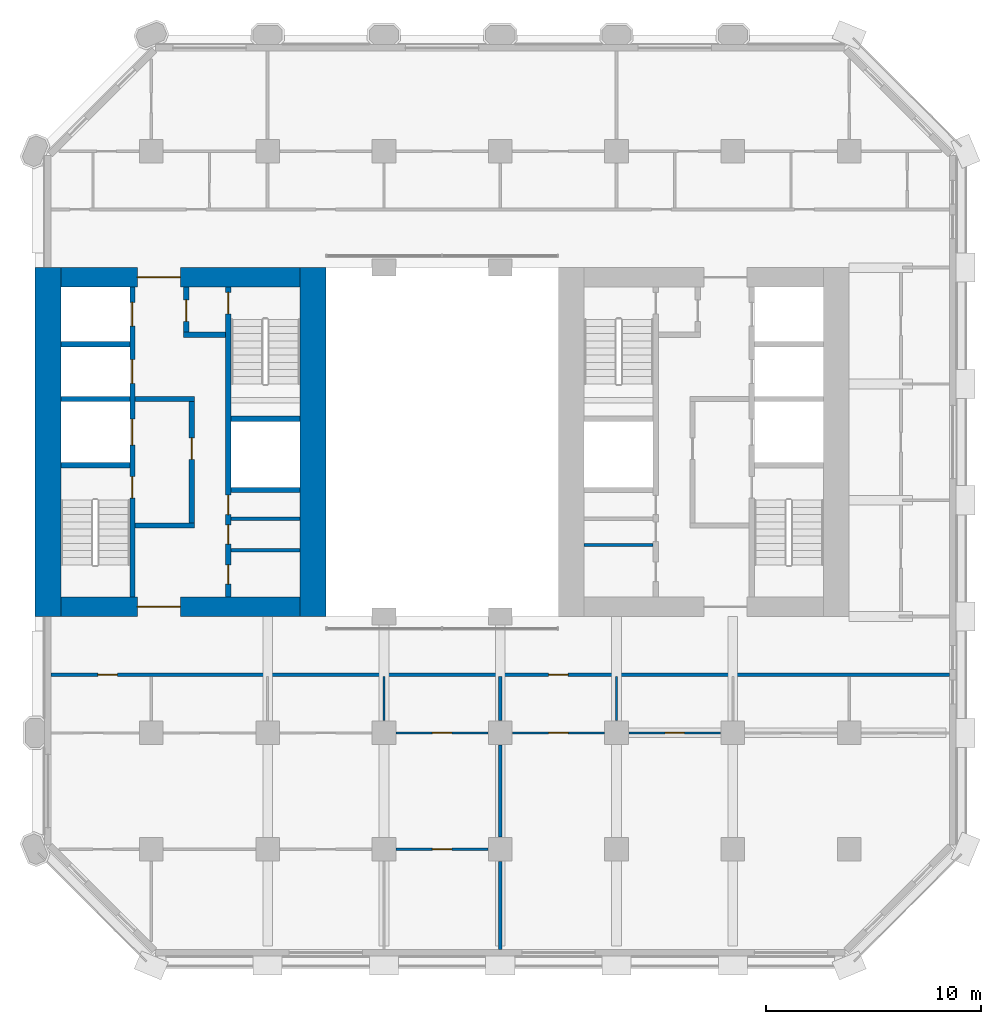
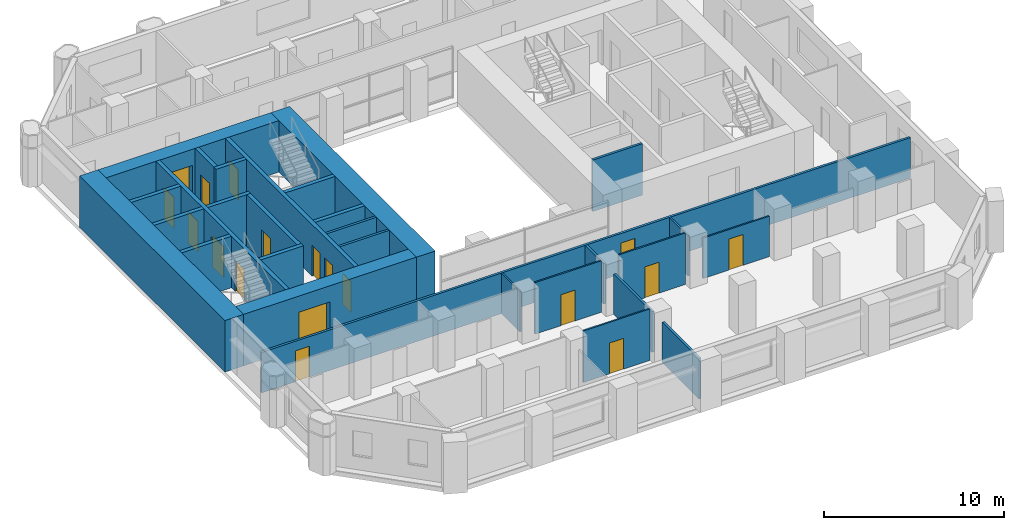
# One storey, part 8 of 13: 29 walls, 18 doors, 18 openings.
"""IFC4 building model written with IfcOpenShell, lengths in metres."""

from ifc_helpers import new_model, si_unit, direction, frame, frame_2d, origin, place, context, subcontext, project, spatial, rectangle, extrude, material, layer, layer_set, type_object, element, fill, save


model = new_model("IFC4")

# Units and contexts
model_context = context("Model", 3, precision=1e-05, world=origin(), true_north=direction((0.0, 1.0)))
body_context = subcontext(model_context, "Body", "Model", "MODEL_VIEW")
ifc_project = project(units=[si_unit("LENGTHUNIT", "METRE"), si_unit("AREAUNIT", "SQUARE_METRE"), si_unit("VOLUMEUNIT", "CUBIC_METRE"), si_unit("PLANEANGLEUNIT", "RADIAN"), si_unit("MASSUNIT", "GRAM", prefix="KILO")], contexts=[model_context])

# Site, building, storey
site_placement = place(None, origin())
site = spatial("IfcSite", under=ifc_project, at=site_placement, CompositionType="ELEMENT")
building_placement = place(site_placement, origin())
building = spatial("IfcBuilding", under=site, at=building_placement, Name="Tabaq Tower and Sports Hall", CompositionType="ELEMENT")
storey_placement = place(building_placement, frame((0.0, 0.0, 45.0)))
storey = spatial("IfcBuildingStorey", under=building, at=storey_placement, Name="L09", CompositionType="ELEMENT", Elevation=45.0)

# Walls
ifc_material_1 = material(Name="Blockwork", Category="masonry")
ifc_layer_1 = layer(ifc_material_1, 0.14990234375)
ifc_layer_set_1 = layer_set([ifc_layer_1], Name="Core room partition 150 Blockwork")
wall_type_1 = type_object("IfcWallType", Name="Core room partition 150 Blockwork", PredefinedType="PARTITIONING", material=ifc_layer_set_1)
for number, where, z_axis, x_axis, name in (
    (1, (14.5, 19.282958984375, 0.0), (0.0, 0.0, 1.0), (1.0, 0.0, 0.0), "Core room partition W L09"),
    (2, (14.5, 20.738037109375, 0.0), (0.0, 0.0, 1.0), (1.0, 0.0, 0.0), "Core room partition W L09"),
):
    element("IfcWall", number, at=place(storey_placement, frame(where, z_axis=z_axis, x_axis=x_axis)), inside=storey, type_object=wall_type_1, Name=name, PredefinedType="PARTITIONING", context=body_context, shape_type="SweptSolid", body=[
        extrude(rectangle(XDim=3.199951171875, YDim=0.14990234375, at=frame_2d((1.60009765625, 0.0))), origin(), (0.0, 0.0, 1.0), 3.5),
    ])
wall_1_placement = place(storey_placement, frame((30.89990234375, 19.52490234375, 0.0), z_axis=(0.0, 0.0, 1.0), x_axis=(1.0, 0.0, 0.0)))
element("IfcWall", 3, at=wall_1_placement, inside=storey, type_object=wall_type_1, Name="Core room partition E L09", PredefinedType="PARTITIONING", context=body_context, shape_type="SweptSolid", body=[
    extrude(rectangle(XDim=3.2001953125, YDim=0.14990234375, at=frame_2d((1.60009765625, 0.0))), origin(), (0.0, 0.0, 1.0), 3.5),
])
ifc_material_2 = material(Name="Concrete C60/75", Category="concrete")
ifc_layer_2 = layer(ifc_material_2, 1.199951171875)
ifc_layer_set_2 = layer_set([ifc_layer_2], Name="Core wall 1200 Concrete C60/75")
wall_type_2 = type_object("IfcWallType", Name="Core wall 1200 Concrete C60/75", PredefinedType="SOLIDWALL", material=ifc_layer_set_2)
for number, where, z_axis, x_axis, name in (
    (4, (6.0, 16.199951171875, 0.0), (0.0, 0.0, 1.0), (0.0, 1.0, 0.0), "Core wall W L09"),
    (5, (18.300048828125, 32.39990234375, 0.0), (0.0, 0.0, 1.0), (0.0, -1.0, 0.0), "Core wall W L09"),
):
    element("IfcWall", number, at=place(storey_placement, frame(where, z_axis=z_axis, x_axis=x_axis)), inside=storey, type_object=wall_type_2, Name=name, PredefinedType="SOLIDWALL", context=body_context, shape_type="SweptSolid", body=[
        extrude(rectangle(XDim=16.199951171875, YDim=1.199951171875, at=frame_2d((8.10009765625, 0.0))), origin(), (0.0, 0.0, 1.0), 3.5),
    ])

# Wall, opening, door
ifc_material_3 = material(Name="Concrete C60/75", Category="concrete")
ifc_layer_3 = layer(ifc_material_3, 0.89990234375)
ifc_layer_set_3 = layer_set([ifc_layer_3], Name="Core wall 900 Concrete C60/75")
wall_type_3 = type_object("IfcWallType", Name="Core wall 900 Concrete C60/75", PredefinedType="SOLIDWALL", material=ifc_layer_set_3)
wall_2_placement = place(storey_placement, frame((17.699951171875, 16.64990234375, 0.0), z_axis=(0.0, 0.0, 1.0), x_axis=(-1.0, 0.0, 0.0)))
wall_2 = element("IfcWall", 6, at=wall_2_placement, inside=storey, type_object=wall_type_3, Name="Core wall W L09", PredefinedType="SOLIDWALL", context=body_context, shape_type="SweptSolid", body=[
    extrude(rectangle(XDim=11.099853515625, YDim=0.89990234375, at=frame_2d((5.5498046875, 0.0))), origin(), (0.0, 0.0, 1.0), 3.5),
])
opening_1_placement = place(wall_2_placement, frame((5.550048828125, 0.0, 0.0)))
opening_1 = element("IfcOpeningElement", 7, at=opening_1_placement, cuts=wall_2, Name="Opening PD-WL09-01", PredefinedType="OPENING", context=body_context, shape_type="SweptSolid", body=[
    extrude(rectangle(XDim=2.0, YDim=2.39990234375, at=frame_2d((1.0, 1.199951171875))), frame((0.0, 0.449951171875, 0.0), z_axis=(0.0, -1.0, 0.0), x_axis=(1.0, 0.0, 0.0)), (0.0, 0.0, 1.0), 0.89990234375),
])
ifc_material_4 = material(Name="Steel fire door", Category="steel")
door_type_1 = type_object("IfcDoorType", Name="Core entrance door 2000", OperationType="DOUBLE_DOOR_SINGLE_SWING", PredefinedType="DOOR", material=ifc_material_4)
door_1_placement = place(opening_1_placement, origin())
door_1 = element("IfcDoor", 8, at=door_1_placement, inside=storey, type_object=door_type_1, Name="Core entrance south W L09", OperationType="DOUBLE_DOOR_SINGLE_SWING", OverallHeight=2.39990234375, OverallWidth=2.0, PredefinedType="DOOR", context=body_context, shape_type="SweptSolid", body=[
    extrude(rectangle(XDim=2.0, YDim=2.39990234375, at=frame_2d((1.0, 1.199951171875))), frame((0.0, 0.02490234375, 0.0), z_axis=(0.0, -1.0, 0.0), x_axis=(1.0, 0.0, 0.0)), (0.0, 0.0, 1.0), 0.050048828125),
])
fill(opening_1, door_1)

wall_3_placement = place(storey_placement, frame((6.60009765625, 31.949951171875, 0.0), z_axis=(0.0, 0.0, 1.0), x_axis=(1.0, 0.0, 0.0)))
wall_3 = element("IfcWall", 9, at=wall_3_placement, inside=storey, type_object=wall_type_3, Name="Core wall W L09", PredefinedType="SOLIDWALL", context=body_context, shape_type="SweptSolid", body=[
    extrude(rectangle(XDim=11.099853515625, YDim=0.89990234375, at=frame_2d((5.5498046875, 0.0))), origin(), (0.0, 0.0, 1.0), 3.5),
])
opening_2_placement = place(wall_3_placement, frame((3.550048828125, 0.0, 0.0)))
opening_2 = element("IfcOpeningElement", 10, at=opening_2_placement, cuts=wall_3, Name="Opening PD-WL09-02", PredefinedType="OPENING", context=body_context, shape_type="SweptSolid", body=[
    extrude(rectangle(XDim=2.0, YDim=2.39990234375, at=frame_2d((1.0, 1.199951171875))), frame((0.0, 0.449951171875, 0.0), z_axis=(0.0, -1.0, 0.0), x_axis=(1.0, 0.0, 0.0)), (0.0, 0.0, 1.0), 0.89990234375),
])
door_2_placement = place(opening_2_placement, origin())
door_2 = element("IfcDoor", 11, at=door_2_placement, inside=storey, type_object=door_type_1, Name="Core entrance north W L09", OperationType="DOUBLE_DOOR_SINGLE_SWING", OverallHeight=2.39990234375, OverallWidth=2.0, PredefinedType="DOOR", context=body_context, shape_type="SweptSolid", body=[
    extrude(rectangle(XDim=2.0, YDim=2.39990234375, at=frame_2d((1.0, 1.199951171875))), frame((0.0, 0.02490234375, 0.0), z_axis=(0.0, -1.0, 0.0), x_axis=(1.0, 0.0, 0.0)), (0.0, 0.0, 1.0), 0.050048828125),
])
fill(opening_2, door_2)

# Wall
ifc_material_5 = material(Name="Gypsum board on steel studs", Category="steel")
ifc_layer_4 = layer(ifc_material_5, 0.10009765625)
ifc_layer_set_4 = layer_set([ifc_layer_4], Name="Partition 100 Gypsum board")
wall_type_4 = type_object("IfcWallType", Name="Partition 100 Gypsum board", PredefinedType="PARTITIONING", material=ifc_layer_set_4)
wall_4_placement = place(storey_placement, frame((21.60009765625, 11.3701171875, 0.0), z_axis=(0.0, 0.0, 1.0), x_axis=(0.0, 1.0, 0.0)))
element("IfcWall", 12, at=wall_4_placement, inside=storey, type_object=wall_type_4, Name="Partition wall L09", PredefinedType="PARTITIONING", context=body_context, shape_type="SweptSolid", body=[
    extrude(rectangle(XDim=2.054931640625, YDim=0.10009765625, at=frame_2d((1.02734375, 0.0))), origin(), (0.0, 0.0, 1.0), 2.75),
])

# Wall, opening, door
wall_5_placement = place(storey_placement, frame((22.169921875, 10.800048828125, 0.0), z_axis=(0.0, 0.0, 1.0), x_axis=(1.0, 0.0, 0.0)))
wall_5 = element("IfcWall", 13, at=wall_5_placement, inside=storey, type_object=wall_type_4, Name="Partition wall L09", PredefinedType="PARTITIONING", context=body_context, shape_type="SweptSolid", body=[
    extrude(rectangle(XDim=4.260009765625, YDim=0.10009765625, at=frame_2d((2.1298828125, 0.0))), origin(), (0.0, 0.0, 1.0), 3.5),
])
opening_3_placement = place(wall_5_placement, frame((1.679931640625, 0.0, 0.0)))
opening_3 = element("IfcOpeningElement", 14, at=opening_3_placement, cuts=wall_5, Name="Opening L09-015", PredefinedType="OPENING", context=body_context, shape_type="SweptSolid", body=[
    extrude(rectangle(XDim=0.89990234375, YDim=2.10009765625, at=frame_2d((0.449951171875, 1.050048828125))), frame((0.0, 0.050048828125, 0.0), z_axis=(0.0, -1.0, 0.0), x_axis=(1.0, 0.0, 0.0)), (0.0, 0.0, 1.0), 0.10009765625),
])
ifc_material_6 = material(Name="Timber leaf in steel frame", Category="steel")
door_type_2 = type_object("IfcDoorType", Name="Internal door 900 right hand", OperationType="SINGLE_SWING_RIGHT", PredefinedType="DOOR", material=ifc_material_6)
door_3_placement = place(opening_3_placement, origin())
door_3 = element("IfcDoor", 15, at=door_3_placement, inside=storey, type_object=door_type_2, Name="Internal door L09-015", OperationType="SINGLE_SWING_RIGHT", OverallHeight=2.10009765625, OverallWidth=0.89990234375, PredefinedType="DOOR", context=body_context, shape_type="SweptSolid", body=[
    extrude(rectangle(XDim=0.89990234375, YDim=2.10009765625, at=frame_2d((0.449951171875, 1.050048828125))), frame((0.0, 0.02490234375, 0.0), z_axis=(0.0, -1.0, 0.0), x_axis=(1.0, 0.0, 0.0)), (0.0, 0.0, 1.0), 0.050048828125),
])
fill(opening_3, door_3)

wall_6_placement = place(storey_placement, frame((22.169921875, 5.39990234375, 0.0), z_axis=(0.0, 0.0, 1.0), x_axis=(1.0, 0.0, 0.0)))
wall_6 = element("IfcWall", 16, at=wall_6_placement, inside=storey, type_object=wall_type_4, Name="Partition wall L09", PredefinedType="PARTITIONING", context=body_context, shape_type="SweptSolid", body=[
    extrude(rectangle(XDim=4.260009765625, YDim=0.10009765625, at=frame_2d((2.1298828125, 0.0))), origin(), (0.0, 0.0, 1.0), 3.5),
])
opening_4_placement = place(wall_6_placement, frame((1.679931640625, 0.0, 0.0)))
opening_4 = element("IfcOpeningElement", 17, at=opening_4_placement, cuts=wall_6, Name="Opening L09-018", PredefinedType="OPENING", context=body_context, shape_type="SweptSolid", body=[
    extrude(rectangle(XDim=0.89990234375, YDim=2.10009765625, at=frame_2d((0.449951171875, 1.050048828125))), frame((0.0, 0.050048828125, 0.0), z_axis=(0.0, -1.0, 0.0), x_axis=(1.0, 0.0, 0.0)), (0.0, 0.0, 1.0), 0.10009765625),
])
ifc_material_7 = material(Name="Timber leaf in steel frame", Category="steel")
door_type_3 = type_object("IfcDoorType", Name="Internal door 900 left hand", OperationType="SINGLE_SWING_LEFT", PredefinedType="DOOR", material=ifc_material_7)
door_4_placement = place(opening_4_placement, origin())
door_4 = element("IfcDoor", 18, at=door_4_placement, inside=storey, type_object=door_type_3, Name="Internal door L09-018", OperationType="SINGLE_SWING_LEFT", OverallHeight=2.10009765625, OverallWidth=0.89990234375, PredefinedType="DOOR", context=body_context, shape_type="SweptSolid", body=[
    extrude(rectangle(XDim=0.89990234375, YDim=2.10009765625, at=frame_2d((0.449951171875, 1.050048828125))), frame((0.0, 0.02490234375, 0.0), z_axis=(0.0, -1.0, 0.0), x_axis=(1.0, 0.0, 0.0)), (0.0, 0.0, 1.0), 0.050048828125),
])
fill(opening_4, door_4)

wall_7_placement = place(storey_placement, frame((27.570068359375, 10.800048828125, 0.0), z_axis=(0.0, 0.0, 1.0), x_axis=(1.0, 0.0, 0.0)))
wall_7 = element("IfcWall", 19, at=wall_7_placement, inside=storey, type_object=wall_type_4, Name="Partition wall L09", PredefinedType="PARTITIONING", context=body_context, shape_type="SweptSolid", body=[
    extrude(rectangle(XDim=4.260009765625, YDim=0.10009765625, at=frame_2d((2.1298828125, 0.0))), origin(), (0.0, 0.0, 1.0), 3.5),
])
opening_5_placement = place(wall_7_placement, frame((1.679931640625, 0.0, 0.0)))
opening_5 = element("IfcOpeningElement", 20, at=opening_5_placement, cuts=wall_7, Name="Opening L09-028", PredefinedType="OPENING", context=body_context, shape_type="SweptSolid", body=[
    extrude(rectangle(XDim=0.89990234375, YDim=2.10009765625, at=frame_2d((0.449951171875, 1.050048828125))), frame((0.0, 0.050048828125, 0.0), z_axis=(0.0, -1.0, 0.0), x_axis=(1.0, 0.0, 0.0)), (0.0, 0.0, 1.0), 0.10009765625),
])
door_5_placement = place(opening_5_placement, origin())
door_5 = element("IfcDoor", 21, at=door_5_placement, inside=storey, type_object=door_type_2, Name="Internal door L09-028", OperationType="SINGLE_SWING_RIGHT", OverallHeight=2.10009765625, OverallWidth=0.89990234375, PredefinedType="DOOR", context=body_context, shape_type="SweptSolid", body=[
    extrude(rectangle(XDim=0.89990234375, YDim=2.10009765625, at=frame_2d((0.449951171875, 1.050048828125))), frame((0.0, 0.02490234375, 0.0), z_axis=(0.0, -1.0, 0.0), x_axis=(1.0, 0.0, 0.0)), (0.0, 0.0, 1.0), 0.050048828125),
])
fill(opening_5, door_5)

# Wall
wall_8_placement = place(storey_placement, frame((32.39990234375, 11.3701171875, 0.0), z_axis=(0.0, 0.0, 1.0), x_axis=(0.0, 1.0, 0.0)))
element("IfcWall", 22, at=wall_8_placement, inside=storey, type_object=wall_type_4, Name="Partition wall L09", PredefinedType="PARTITIONING", context=body_context, shape_type="SweptSolid", body=[
    extrude(rectangle(XDim=2.054931640625, YDim=0.10009765625, at=frame_2d((1.02734375, 0.0))), origin(), (0.0, 0.0, 1.0), 2.75),
])

# Wall, opening, door
wall_9_placement = place(storey_placement, frame((32.969970703125, 10.800048828125, 0.0), z_axis=(0.0, 0.0, 1.0), x_axis=(1.0, 0.0, 0.0)))
wall_9 = element("IfcWall", 23, at=wall_9_placement, inside=storey, type_object=wall_type_4, Name="Partition wall L09", PredefinedType="PARTITIONING", context=body_context, shape_type="SweptSolid", body=[
    extrude(rectangle(XDim=4.260009765625, YDim=0.10009765625, at=frame_2d((2.1298828125, 0.0))), origin(), (0.0, 0.0, 1.0), 2.75),
])
opening_6_placement = place(wall_9_placement, frame((1.679931640625, 0.0, 0.0)))
opening_6 = element("IfcOpeningElement", 24, at=opening_6_placement, cuts=wall_9, Name="Opening L09-019", PredefinedType="OPENING", context=body_context, shape_type="SweptSolid", body=[
    extrude(rectangle(XDim=0.89990234375, YDim=2.10009765625, at=frame_2d((0.449951171875, 1.050048828125))), frame((0.0, 0.050048828125, 0.0), z_axis=(0.0, -1.0, 0.0), x_axis=(1.0, 0.0, 0.0)), (0.0, 0.0, 1.0), 0.10009765625),
])
door_6_placement = place(opening_6_placement, origin())
door_6 = element("IfcDoor", 25, at=door_6_placement, inside=storey, type_object=door_type_3, Name="Internal door L09-019", OperationType="SINGLE_SWING_LEFT", OverallHeight=2.10009765625, OverallWidth=0.89990234375, PredefinedType="DOOR", context=body_context, shape_type="SweptSolid", body=[
    extrude(rectangle(XDim=0.89990234375, YDim=2.10009765625, at=frame_2d((0.449951171875, 1.050048828125))), frame((0.0, 0.02490234375, 0.0), z_axis=(0.0, -1.0, 0.0), x_axis=(1.0, 0.0, 0.0)), (0.0, 0.0, 1.0), 0.050048828125),
])
fill(opening_6, door_6)

# Wall, openings, doors
ifc_material_8 = material(Name="Blockwork", Category="masonry")
ifc_layer_5 = layer(ifc_material_8, 0.14990234375)
ifc_layer_set_5 = layer_set([ifc_layer_5], Name="Separating wall 150 Blockwork")
wall_type_5 = type_object("IfcWallType", Name="Separating wall 150 Blockwork", PredefinedType="PARTITIONING", material=ifc_layer_set_5)
wall_10_placement = place(storey_placement, frame((6.15087890625, 13.5, 0.0), z_axis=(0.0, 0.0, 1.0), x_axis=(1.0, 0.0, 0.0)))
wall_10 = element("IfcWall", 26, at=wall_10_placement, inside=storey, type_object=wall_type_5, Name="Separating wall L09", PredefinedType="PARTITIONING", context=body_context, shape_type="SweptSolid", body=[
    extrude(rectangle(XDim=41.6982421875, YDim=0.14990234375, at=frame_2d((20.84912109375, 0.0))), origin(), (0.0, 0.0, 1.0), 2.75),
])
opening_7_placement = place(wall_10_placement, frame((2.174072265625, 0.0, 0.0)))
opening_7 = element("IfcOpeningElement", 27, at=opening_7_placement, cuts=wall_10, Name="Opening L09-023", PredefinedType="OPENING", context=body_context, shape_type="SweptSolid", body=[
    extrude(rectangle(XDim=0.89990234375, YDim=2.10009765625, at=frame_2d((0.449951171875, 1.050048828125))), frame((0.0, 0.074951171875, 0.0), z_axis=(0.0, -1.0, 0.0), x_axis=(1.0, 0.0, 0.0)), (0.0, 0.0, 1.0), 0.14990234375),
])
opening_8_placement = place(wall_10_placement, frame((23.09912109375, 0.0, 0.0)))
opening_8 = element("IfcOpeningElement", 28, at=opening_8_placement, cuts=wall_10, Name="Opening L09-024", PredefinedType="OPENING", context=body_context, shape_type="SweptSolid", body=[
    extrude(rectangle(XDim=0.89990234375, YDim=2.10009765625, at=frame_2d((0.449951171875, 1.050048828125))), frame((0.0, 0.074951171875, 0.0), z_axis=(0.0, -1.0, 0.0), x_axis=(1.0, 0.0, 0.0)), (0.0, 0.0, 1.0), 0.14990234375),
])
ifc_material_9 = material(Name="Steel fire door", Category="steel")
door_type_4 = type_object("IfcDoorType", Name="Entrance door 900 left hand", OperationType="SINGLE_SWING_LEFT", PredefinedType="DOOR", material=ifc_material_9)
door_7_placement = place(opening_7_placement, origin())
door_7 = element("IfcDoor", 29, at=door_7_placement, inside=storey, type_object=door_type_4, Name="Entrance door L09-023", OperationType="SINGLE_SWING_LEFT", OverallHeight=2.10009765625, OverallWidth=0.89990234375, PredefinedType="DOOR", context=body_context, shape_type="SweptSolid", body=[
    extrude(rectangle(XDim=0.89990234375, YDim=2.10009765625, at=frame_2d((0.449951171875, 1.050048828125))), frame((0.0, 0.02490234375, 0.0), z_axis=(0.0, -1.0, 0.0), x_axis=(1.0, 0.0, 0.0)), (0.0, 0.0, 1.0), 0.050048828125),
])
fill(opening_7, door_7)
door_8_placement = place(opening_8_placement, origin())
door_8 = element("IfcDoor", 30, at=door_8_placement, inside=storey, type_object=door_type_4, Name="Entrance door L09-024", OperationType="SINGLE_SWING_LEFT", OverallHeight=2.10009765625, OverallWidth=0.89990234375, PredefinedType="DOOR", context=body_context, shape_type="SweptSolid", body=[
    extrude(rectangle(XDim=0.89990234375, YDim=2.10009765625, at=frame_2d((0.449951171875, 1.050048828125))), frame((0.0, 0.02490234375, 0.0), z_axis=(0.0, -1.0, 0.0), x_axis=(1.0, 0.0, 0.0)), (0.0, 0.0, 1.0), 0.050048828125),
])
fill(opening_8, door_8)

# Walls
wall_11_placement = place(storey_placement, frame((27.0, 11.3701171875, 0.0), z_axis=(0.0, 0.0, 1.0), x_axis=(0.0, 1.0, 0.0)))
element("IfcWall", 31, at=wall_11_placement, inside=storey, type_object=wall_type_5, Name="Separating wall L09", PredefinedType="PARTITIONING", context=body_context, shape_type="SweptSolid", body=[
    extrude(rectangle(XDim=2.054931640625, YDim=0.14990234375, at=frame_2d((1.02734375, 0.0))), origin(), (0.0, 0.0, 1.0), 2.75),
])
wall_12_placement = place(storey_placement, frame((27.0, 5.969970703125, 0.0), z_axis=(0.0, 0.0, 1.0), x_axis=(0.0, 1.0, 0.0)))
element("IfcWall", 32, at=wall_12_placement, inside=storey, type_object=wall_type_5, Name="Separating wall L09", PredefinedType="PARTITIONING", context=body_context, shape_type="SweptSolid", body=[
    extrude(rectangle(XDim=4.260009765625, YDim=0.14990234375, at=frame_2d((2.1298828125, 0.0))), origin(), (0.0, 0.0, 1.0), 2.75),
])
wall_13_placement = place(storey_placement, frame((27.0, 0.7509765625, 0.0), z_axis=(0.0, 0.0, 1.0), x_axis=(0.0, 1.0, 0.0)))
element("IfcWall", 33, at=wall_13_placement, inside=storey, type_object=wall_type_5, Name="Separating wall L09", PredefinedType="PARTITIONING", context=body_context, shape_type="SweptSolid", body=[
    extrude(rectangle(XDim=4.0791015625, YDim=0.14990234375, at=frame_2d((2.03955078125, 0.0))), origin(), (0.0, 0.0, 1.0), 2.75),
])

# Wall, openings, doors
ifc_material_10 = material(Name="Concrete C40/50", Category="concrete")
ifc_layer_6 = layer(ifc_material_10, 0.25)
ifc_layer_set_6 = layer_set([ifc_layer_6], Name="Shaft and stair wall 250 Concrete C40/50")
wall_type_6 = type_object("IfcWallType", Name="Shaft and stair wall 250 Concrete C40/50", PredefinedType="SOLIDWALL", material=ifc_layer_set_6)
wall_14_placement = place(storey_placement, frame((9.925048828125, 17.10009765625, 0.0), z_axis=(0.0, 0.0, 1.0), x_axis=(0.0, 1.0, 0.0)))
wall_14 = element("IfcWall", 34, at=wall_14_placement, inside=storey, type_object=wall_type_6, Name="Shaft wall W L09", PredefinedType="SOLIDWALL", context=body_context, shape_type="SweptSolid", body=[
    extrude(rectangle(XDim=14.39990234375, YDim=0.25, at=frame_2d((7.199951171875, 0.0))), origin(), (0.0, 0.0, 1.0), 3.5),
])
opening_9_placement = place(wall_14_placement, frame((4.60009765625, 0.0, 0.0)))
opening_9 = element("IfcOpeningElement", 35, at=opening_9_placement, cuts=wall_14, Name="Opening SD-WL09-03", PredefinedType="OPENING", context=body_context, shape_type="SweptSolid", body=[
    extrude(rectangle(XDim=1.0, YDim=2.10009765625, at=frame_2d((0.5, 1.050048828125))), frame((0.0, 0.125, 0.0), z_axis=(0.0, -1.0, 0.0), x_axis=(1.0, 0.0, 0.0)), (0.0, 0.0, 1.0), 0.25),
])
opening_10_placement = place(wall_14_placement, frame((7.0625, 0.0, 0.0)))
opening_10 = element("IfcOpeningElement", 36, at=opening_10_placement, cuts=wall_14, Name="Opening LD-FF1-L09", PredefinedType="OPENING", context=body_context, shape_type="SweptSolid", body=[
    extrude(rectangle(XDim=1.199951171875, YDim=2.10009765625, at=frame_2d((0.60009765625, 1.050048828125))), frame((0.0, 0.125, 0.0), z_axis=(0.0, -1.0, 0.0), x_axis=(1.0, 0.0, 0.0)), (0.0, 0.0, 1.0), 0.25),
])
opening_11_placement = place(wall_14_placement, frame((9.925048828125, 0.0, 0.0)))
opening_11 = element("IfcOpeningElement", 37, at=opening_11_placement, cuts=wall_14, Name="Opening LD-LR1-L09", PredefinedType="OPENING", context=body_context, shape_type="SweptSolid", body=[
    extrude(rectangle(XDim=1.10009765625, YDim=2.10009765625, at=frame_2d((0.550048828125, 1.050048828125))), frame((0.0, 0.125, 0.0), z_axis=(0.0, -1.0, 0.0), x_axis=(1.0, 0.0, 0.0)), (0.0, 0.0, 1.0), 0.25),
])
opening_12_placement = place(wall_14_placement, frame((12.58740234375, 0.0, 0.0)))
opening_12 = element("IfcOpeningElement", 38, at=opening_12_placement, cuts=wall_14, Name="Opening LD-LR2-L09", PredefinedType="OPENING", context=body_context, shape_type="SweptSolid", body=[
    extrude(rectangle(XDim=1.10009765625, YDim=2.10009765625, at=frame_2d((0.550048828125, 1.050048828125))), frame((0.0, 0.125, 0.0), z_axis=(0.0, -1.0, 0.0), x_axis=(1.0, 0.0, 0.0)), (0.0, 0.0, 1.0), 0.25),
])
ifc_material_11 = material(Name="Stainless steel", Category="steel")
door_type_5 = type_object("IfcDoorType", Name="Lift landing door 1100", OperationType="DOUBLE_DOOR_SLIDING", PredefinedType="DOOR", material=ifc_material_11)
door_9_placement = place(opening_11_placement, origin())
door_9 = element("IfcDoor", 39, at=door_9_placement, inside=storey, type_object=door_type_5, Name="Lift landing door LR1 W L09", OperationType="DOUBLE_DOOR_SLIDING", OverallHeight=2.10009765625, OverallWidth=1.10009765625, PredefinedType="DOOR", context=body_context, shape_type="SweptSolid", body=[
    extrude(rectangle(XDim=1.10009765625, YDim=2.10009765625, at=frame_2d((0.550048828125, 1.050048828125))), frame((0.0, 0.02490234375, 0.0), z_axis=(0.0, -1.0, 0.0), x_axis=(1.0, 0.0, 0.0)), (0.0, 0.0, 1.0), 0.050048828125),
])
fill(opening_11, door_9)
door_10_placement = place(opening_12_placement, origin())
door_10 = element("IfcDoor", 40, at=door_10_placement, inside=storey, type_object=door_type_5, Name="Lift landing door LR2 W L09", OperationType="DOUBLE_DOOR_SLIDING", OverallHeight=2.10009765625, OverallWidth=1.10009765625, PredefinedType="DOOR", context=body_context, shape_type="SweptSolid", body=[
    extrude(rectangle(XDim=1.10009765625, YDim=2.10009765625, at=frame_2d((0.550048828125, 1.050048828125))), frame((0.0, 0.02490234375, 0.0), z_axis=(0.0, -1.0, 0.0), x_axis=(1.0, 0.0, 0.0)), (0.0, 0.0, 1.0), 0.050048828125),
])
fill(opening_12, door_10)
ifc_material_12 = material(Name="Stainless steel", Category="steel")
door_type_6 = type_object("IfcDoorType", Name="Lift landing door 1200", OperationType="DOUBLE_DOOR_SLIDING", PredefinedType="DOOR", material=ifc_material_12)
door_11_placement = place(opening_10_placement, origin())
door_11 = element("IfcDoor", 41, at=door_11_placement, inside=storey, type_object=door_type_6, Name="Lift landing door FF1 W L09", OperationType="DOUBLE_DOOR_SLIDING", OverallHeight=2.10009765625, OverallWidth=1.199951171875, PredefinedType="DOOR", context=body_context, shape_type="SweptSolid", body=[
    extrude(rectangle(XDim=1.199951171875, YDim=2.10009765625, at=frame_2d((0.60009765625, 1.050048828125))), frame((0.0, 0.02490234375, 0.0), z_axis=(0.0, -1.0, 0.0), x_axis=(1.0, 0.0, 0.0)), (0.0, 0.0, 1.0), 0.050048828125),
])
fill(opening_10, door_11)
ifc_material_13 = material(Name="Steel fire door", Category="steel")
door_type_7 = type_object("IfcDoorType", Name="Stair door 1000", OperationType="SINGLE_SWING_LEFT", PredefinedType="DOOR", material=ifc_material_13)
door_12_placement = place(opening_9_placement, origin())
door_12 = element("IfcDoor", 42, at=door_12_placement, inside=storey, type_object=door_type_7, Name="Stair door ST1 W L09", OperationType="SINGLE_SWING_LEFT", OverallHeight=2.10009765625, OverallWidth=1.0, PredefinedType="DOOR", context=body_context, shape_type="SweptSolid", body=[
    extrude(rectangle(XDim=1.0, YDim=2.10009765625, at=frame_2d((0.5, 1.050048828125))), frame((0.0, 0.02490234375, 0.0), z_axis=(0.0, -1.0, 0.0), x_axis=(1.0, 0.0, 0.0)), (0.0, 0.0, 1.0), 0.050048828125),
])
fill(opening_9, door_12)

wall_15_placement = place(storey_placement, frame((14.375, 17.10009765625, 0.0), z_axis=(0.0, 0.0, 1.0), x_axis=(0.0, 1.0, 0.0)))
wall_15 = element("IfcWall", 43, at=wall_15_placement, inside=storey, type_object=wall_type_6, Name="Shaft wall W L09", PredefinedType="SOLIDWALL", context=body_context, shape_type="SweptSolid", body=[
    extrude(rectangle(XDim=14.39990234375, YDim=0.25, at=frame_2d((7.199951171875, 0.0))), origin(), (0.0, 0.0, 1.0), 3.5),
])
opening_13_placement = place(wall_15_placement, frame((13.14990234375, 0.0, 0.0)))
opening_13 = element("IfcOpeningElement", 44, at=opening_13_placement, cuts=wall_15, Name="Opening SD-WL09-05", PredefinedType="OPENING", context=body_context, shape_type="SweptSolid", body=[
    extrude(rectangle(XDim=1.0, YDim=2.10009765625, at=frame_2d((0.5, 1.050048828125))), frame((0.0, 0.125, 0.0), z_axis=(0.0, -1.0, 0.0), x_axis=(1.0, 0.0, 0.0)), (0.0, 0.0, 1.0), 0.25),
])
opening_14_placement = place(wall_15_placement, frame((0.60400390625, 0.0, 0.0)))
opening_14 = element("IfcOpeningElement", 45, at=opening_14_placement, cuts=wall_15, Name="Opening RD-WL09-10", PredefinedType="OPENING", context=body_context, shape_type="SweptSolid", body=[
    extrude(rectangle(XDim=0.89990234375, YDim=2.10009765625, at=frame_2d((0.449951171875, 1.050048828125))), frame((0.0, 0.125, 0.0), z_axis=(0.0, -1.0, 0.0), x_axis=(1.0, 0.0, 0.0)), (0.0, 0.0, 1.0), 0.25),
])
opening_15_placement = place(wall_15_placement, frame((2.46044921875, 0.0, 0.0)))
opening_15 = element("IfcOpeningElement", 46, at=opening_15_placement, cuts=wall_15, Name="Opening RD-WL09-11", PredefinedType="OPENING", context=body_context, shape_type="SweptSolid", body=[
    extrude(rectangle(XDim=0.89990234375, YDim=2.10009765625, at=frame_2d((0.449951171875, 1.050048828125))), frame((0.0, 0.125, 0.0), z_axis=(0.0, -1.0, 0.0), x_axis=(1.0, 0.0, 0.0)), (0.0, 0.0, 1.0), 0.25),
])
opening_16_placement = place(wall_15_placement, frame((3.83154296875, 0.0, 0.0)))
opening_16 = element("IfcOpeningElement", 47, at=opening_16_placement, cuts=wall_15, Name="Opening RD-WL09-12", PredefinedType="OPENING", context=body_context, shape_type="SweptSolid", body=[
    extrude(rectangle(XDim=0.89990234375, YDim=2.10009765625, at=frame_2d((0.449951171875, 1.050048828125))), frame((0.0, 0.125, 0.0), z_axis=(0.0, -1.0, 0.0), x_axis=(1.0, 0.0, 0.0)), (0.0, 0.0, 1.0), 0.25),
])
ifc_material_14 = material(Name="Steel fire door", Category="steel")
door_type_8 = type_object("IfcDoorType", Name="Core room door 900", OperationType="SINGLE_SWING_LEFT", PredefinedType="DOOR", material=ifc_material_14)
door_13_placement = place(opening_14_placement, origin())
door_13 = element("IfcDoor", 48, at=door_13_placement, inside=storey, type_object=door_type_8, Name="Door Unisex WC W L09", OperationType="SINGLE_SWING_LEFT", OverallHeight=2.10009765625, OverallWidth=0.89990234375, PredefinedType="DOOR", context=body_context, shape_type="SweptSolid", body=[
    extrude(rectangle(XDim=0.89990234375, YDim=2.10009765625, at=frame_2d((0.449951171875, 1.050048828125))), frame((0.0, 0.02490234375, 0.0), z_axis=(0.0, -1.0, 0.0), x_axis=(1.0, 0.0, 0.0)), (0.0, 0.0, 1.0), 0.050048828125),
])
fill(opening_14, door_13)
door_14_placement = place(opening_15_placement, origin())
door_14 = element("IfcDoor", 49, at=door_14_placement, inside=storey, type_object=door_type_8, Name="Door Accessible WC W L09", OperationType="SINGLE_SWING_LEFT", OverallHeight=2.10009765625, OverallWidth=0.89990234375, PredefinedType="DOOR", context=body_context, shape_type="SweptSolid", body=[
    extrude(rectangle(XDim=0.89990234375, YDim=2.10009765625, at=frame_2d((0.449951171875, 1.050048828125))), frame((0.0, 0.02490234375, 0.0), z_axis=(0.0, -1.0, 0.0), x_axis=(1.0, 0.0, 0.0)), (0.0, 0.0, 1.0), 0.050048828125),
])
fill(opening_15, door_14)
door_15_placement = place(opening_16_placement, origin())
door_15 = element("IfcDoor", 50, at=door_15_placement, inside=storey, type_object=door_type_8, Name="Door Electrical Riser Room W L09", OperationType="SINGLE_SWING_LEFT", OverallHeight=2.10009765625, OverallWidth=0.89990234375, PredefinedType="DOOR", context=body_context, shape_type="SweptSolid", body=[
    extrude(rectangle(XDim=0.89990234375, YDim=2.10009765625, at=frame_2d((0.449951171875, 1.050048828125))), frame((0.0, 0.02490234375, 0.0), z_axis=(0.0, -1.0, 0.0), x_axis=(1.0, 0.0, 0.0)), (0.0, 0.0, 1.0), 0.050048828125),
])
fill(opening_16, door_15)
door_16_placement = place(opening_13_placement, origin())
door_16 = element("IfcDoor", 51, at=door_16_placement, inside=storey, type_object=door_type_7, Name="Stair door ST2 W L09", OperationType="SINGLE_SWING_LEFT", OverallHeight=2.10009765625, OverallWidth=1.0, PredefinedType="DOOR", context=body_context, shape_type="SweptSolid", body=[
    extrude(rectangle(XDim=1.0, YDim=2.10009765625, at=frame_2d((0.5, 1.050048828125))), frame((0.0, 0.02490234375, 0.0), z_axis=(0.0, -1.0, 0.0), x_axis=(1.0, 0.0, 0.0)), (0.0, 0.0, 1.0), 0.050048828125),
])
fill(opening_13, door_16)

# Walls
for number, where, z_axis, x_axis, name in (
    (52, (6.60009765625, 23.22509765625, 0.0), (0.0, 0.0, 1.0), (1.0, 0.0, 0.0), "Stair enclosure wall W L09"),
    (53, (14.5, 25.375, 0.0), (0.0, 0.0, 1.0), (1.0, 0.0, 0.0), "Stair enclosure wall W L09"),
    (54, (14.5, 22.074951171875, 0.0), (0.0, 0.0, 1.0), (1.0, 0.0, 0.0), "Shaft wall W L09"),
    (55, (6.60009765625, 26.300048828125, 0.0), (0.0, 0.0, 1.0), (1.0, 0.0, 0.0), "Shaft wall W L09"),
):
    element("IfcWall", number, at=place(storey_placement, frame(where, z_axis=z_axis, x_axis=x_axis)), inside=storey, type_object=wall_type_6, Name=name, PredefinedType="SOLIDWALL", context=body_context, shape_type="SweptSolid", body=[
        extrude(rectangle(XDim=3.199951171875, YDim=0.25, at=frame_2d((1.60009765625, 0.0))), origin(), (0.0, 0.0, 1.0), 3.5),
    ])
for number, where, z_axis, x_axis, name in (
    (56, (10.050048828125, 26.300048828125, 0.0), (0.0, 0.0, 1.0), (1.0, 0.0, 0.0), "Fire-fighting lobby wall W L09"),
    (57, (10.050048828125, 20.425048828125, 0.0), (0.0, 0.0, 1.0), (1.0, 0.0, 0.0), "Fire-fighting lobby wall W L09"),
):
    element("IfcWall", number, at=place(storey_placement, frame(where, z_axis=z_axis, x_axis=x_axis)), inside=storey, type_object=wall_type_6, Name=name, PredefinedType="SOLIDWALL", context=body_context, shape_type="SweptSolid", body=[
        extrude(rectangle(XDim=2.75, YDim=0.25, at=frame_2d((1.375, 0.0))), origin(), (0.0, 0.0, 1.0), 3.5),
    ])

# Wall, opening, door
wall_16_placement = place(storey_placement, frame((12.425048828125, 29.39990234375, 0.0), z_axis=(0.0, 0.0, 1.0), x_axis=(0.0, 1.0, 0.0)))
wall_16 = element("IfcWall", 58, at=wall_16_placement, inside=storey, type_object=wall_type_6, Name="Fire-fighting lobby wall W L09", PredefinedType="SOLIDWALL", context=body_context, shape_type="SweptSolid", body=[
    extrude(rectangle(XDim=2.10009765625, YDim=0.25, at=frame_2d((1.050048828125, 0.0))), origin(), (0.0, 0.0, 1.0), 3.5),
])
opening_17_placement = place(wall_16_placement, frame((0.5, 0.0, 0.0)))
opening_17 = element("IfcOpeningElement", 59, at=opening_17_placement, cuts=wall_16, Name="Opening FD-WL09-06", PredefinedType="OPENING", context=body_context, shape_type="SweptSolid", body=[
    extrude(rectangle(XDim=1.0, YDim=2.10009765625, at=frame_2d((0.5, 1.050048828125))), frame((0.0, 0.125, 0.0), z_axis=(0.0, -1.0, 0.0), x_axis=(1.0, 0.0, 0.0)), (0.0, 0.0, 1.0), 0.25),
])
ifc_material_15 = material(Name="Steel fire door", Category="steel")
door_type_9 = type_object("IfcDoorType", Name="Fire-fighting lobby door 1000", OperationType="SINGLE_SWING_LEFT", PredefinedType="DOOR", material=ifc_material_15)
door_17_placement = place(opening_17_placement, origin())
door_17 = element("IfcDoor", 60, at=door_17_placement, inside=storey, type_object=door_type_9, Name="Stair lobby door W L09", OperationType="SINGLE_SWING_LEFT", OverallHeight=2.10009765625, OverallWidth=1.0, PredefinedType="DOOR", context=body_context, shape_type="SweptSolid", body=[
    extrude(rectangle(XDim=1.0, YDim=2.10009765625, at=frame_2d((0.5, 1.050048828125))), frame((0.0, 0.02490234375, 0.0), z_axis=(0.0, -1.0, 0.0), x_axis=(1.0, 0.0, 0.0)), (0.0, 0.0, 1.0), 0.050048828125),
])
fill(opening_17, door_17)

# Wall
wall_17_placement = place(storey_placement, frame((12.300048828125, 29.27490234375, 0.0), z_axis=(0.0, 0.0, 1.0), x_axis=(1.0, 0.0, 0.0)))
element("IfcWall", 61, at=wall_17_placement, inside=storey, type_object=wall_type_6, Name="Fire-fighting lobby wall W L09", PredefinedType="SOLIDWALL", context=body_context, shape_type="SweptSolid", body=[
    extrude(rectangle(XDim=1.949951171875, YDim=0.25, at=frame_2d((0.97509765625, 0.0))), origin(), (0.0, 0.0, 1.0), 3.5),
])

# Wall, opening, door
wall_18_placement = place(storey_placement, frame((12.675048828125, 20.550048828125, 0.0), z_axis=(0.0, 0.0, 1.0), x_axis=(0.0, 1.0, 0.0)))
wall_18 = element("IfcWall", 62, at=wall_18_placement, inside=storey, type_object=wall_type_6, Name="Fire-fighting lobby wall W L09", PredefinedType="SOLIDWALL", context=body_context, shape_type="SweptSolid", body=[
    extrude(rectangle(XDim=5.625, YDim=0.25, at=frame_2d((2.8125, 0.0))), origin(), (0.0, 0.0, 1.0), 3.5),
])
opening_18_placement = place(wall_18_placement, frame((2.949951171875, 0.0, 0.0)))
opening_18 = element("IfcOpeningElement", 63, at=opening_18_placement, cuts=wall_18, Name="Opening FD-WL09-04", PredefinedType="OPENING", context=body_context, shape_type="SweptSolid", body=[
    extrude(rectangle(XDim=1.0, YDim=2.10009765625, at=frame_2d((0.5, 1.050048828125))), frame((0.0, 0.125, 0.0), z_axis=(0.0, -1.0, 0.0), x_axis=(1.0, 0.0, 0.0)), (0.0, 0.0, 1.0), 0.25),
])
door_18_placement = place(opening_18_placement, origin())
door_18 = element("IfcDoor", 64, at=door_18_placement, inside=storey, type_object=door_type_9, Name="Fire-fighting lobby door W L09", OperationType="SINGLE_SWING_LEFT", OverallHeight=2.10009765625, OverallWidth=1.0, PredefinedType="DOOR", context=body_context, shape_type="SweptSolid", body=[
    extrude(rectangle(XDim=1.0, YDim=2.10009765625, at=frame_2d((0.5, 1.050048828125))), frame((0.0, 0.02490234375, 0.0), z_axis=(0.0, -1.0, 0.0), x_axis=(1.0, 0.0, 0.0)), (0.0, 0.0, 1.0), 0.050048828125),
])
fill(opening_18, door_18)

# Wall
wall_19_placement = place(storey_placement, frame((6.60009765625, 28.85009765625, 0.0), z_axis=(0.0, 0.0, 1.0), x_axis=(1.0, 0.0, 0.0)))
element("IfcWall", 65, at=wall_19_placement, inside=storey, type_object=wall_type_6, Name="Shaft wall W L09", PredefinedType="SOLIDWALL", context=body_context, shape_type="SweptSolid", body=[
    extrude(rectangle(XDim=3.199951171875, YDim=0.25, at=frame_2d((1.60009765625, 0.0))), origin(), (0.0, 0.0, 1.0), 3.5),
])

save(model, "model.ifc")
